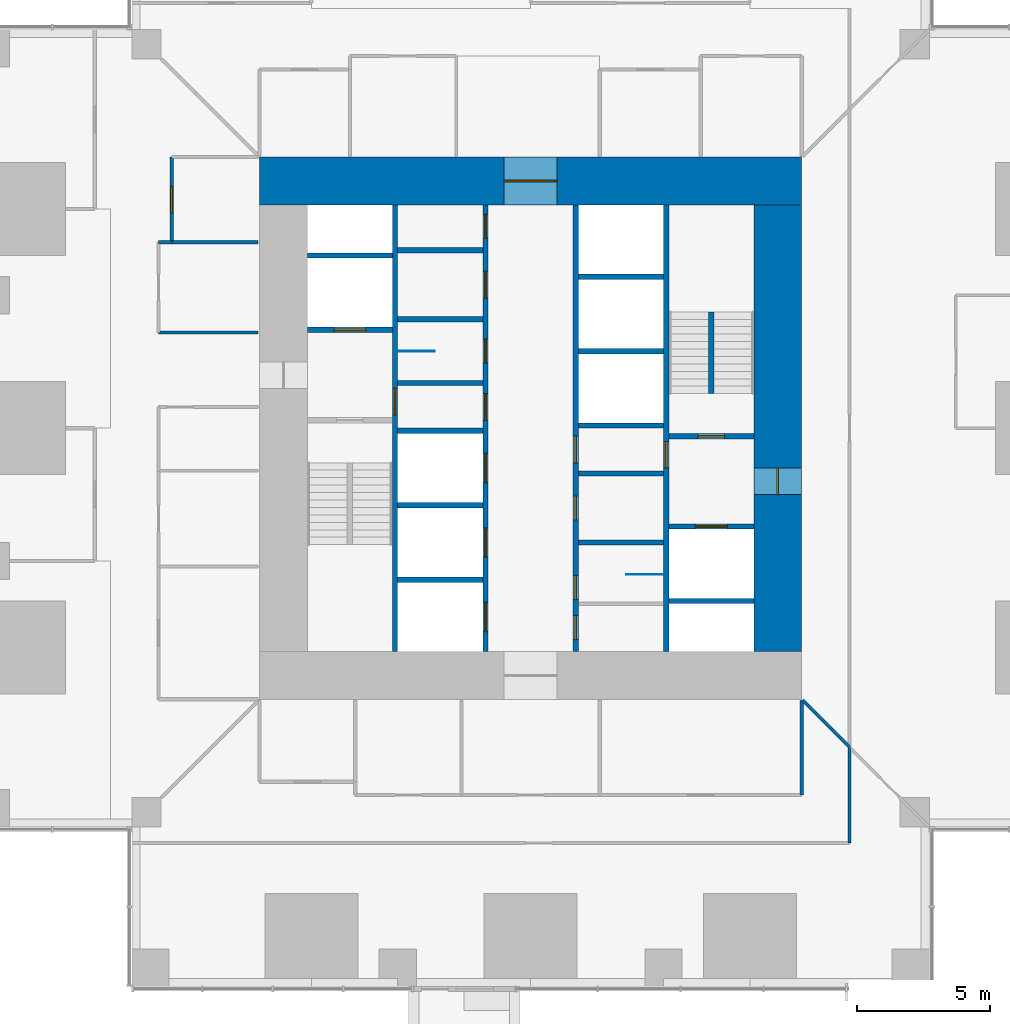
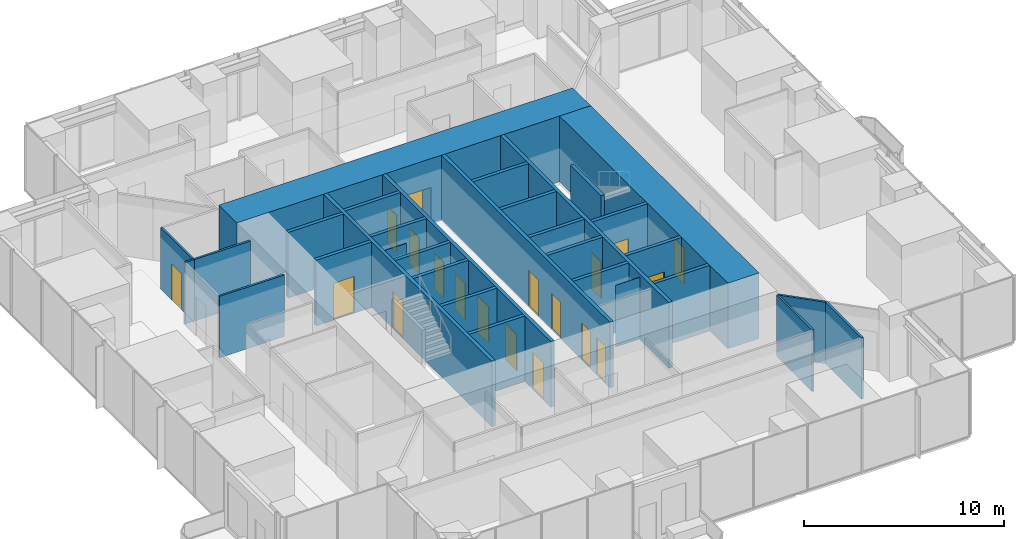
# One storey, part 12 of 17: 32 walls, 19 doors, 19 openings.
"""IFC4 building model written with IfcOpenShell, lengths in metres."""

from ifc_helpers import new_model, si_unit, direction, frame, frame_2d, origin, place, context, subcontext, project, spatial, rectangle, extrude, material, layer, layer_set, type_object, element, fill, save


model = new_model("IFC4")

# Units and contexts
model_context = context("Model", 3, precision=1e-05, world=origin(), true_north=direction((0.0, 1.0)))
body_context = subcontext(model_context, "Body", "Model", "MODEL_VIEW")
ifc_project = project(units=[si_unit("LENGTHUNIT", "METRE"), si_unit("AREAUNIT", "SQUARE_METRE"), si_unit("VOLUMEUNIT", "CUBIC_METRE"), si_unit("PLANEANGLEUNIT", "RADIAN"), si_unit("MASSUNIT", "GRAM", prefix="KILO")], contexts=[model_context])

# Site, building, storey
site_placement = place(None, origin())
site = spatial("IfcSite", under=ifc_project, at=site_placement, CompositionType="ELEMENT")
building_placement = place(site_placement, origin())
building = spatial("IfcBuilding", under=site, at=building_placement, Name="Svetlomir Tower", CompositionType="ELEMENT")
storey_placement = place(building_placement, frame((0.0, 0.0, 38.5)))
storey = spatial("IfcBuildingStorey", under=building, at=storey_placement, Name="L08", CompositionType="ELEMENT", Elevation=38.5)

# Wall, opening, door
ifc_material_1 = material(Name="Concrete C60/75", Category="concrete")
ifc_layer_1 = layer(ifc_material_1, 0.199951171875)
ifc_layer_set_1 = layer_set([ifc_layer_1], Name="Concrete C60/75")
wall_type_1 = type_object("IfcWallType", Name="CORE INNER WALL 200", PredefinedType="SHEAR", material=ifc_layer_set_1)
wall_1_placement = place(storey_placement, frame((15.89990234375, 12.60009765625, -0.050048828125), z_axis=(0.0, 0.0, 1.0), x_axis=(0.0, 1.0, 0.0)))
wall_1 = element("IfcWall", 1, at=wall_1_placement, inside=storey, type_object=wall_type_1, Name="Core inner wall 15.9 L08", PredefinedType="SHEAR", context=body_context, shape_type="SweptSolid", body=[
    extrude(rectangle(XDim=16.7998046875, YDim=0.199951171875, at=frame_2d((8.39990234375, 0.0))), origin(), (0.0, 0.0, 1.0), 4.0),
])
opening_1_placement = place(wall_1_placement, frame((8.89990234375, 0.0, 0.050048828125)))
opening_1 = element("IfcOpeningElement", 2, at=opening_1_placement, cuts=wall_1, Name="Opening DF", PredefinedType="OPENING", context=body_context, shape_type="SweptSolid", body=[
    extrude(rectangle(XDim=1.0, YDim=2.199951171875, at=frame_2d((0.5, 1.10009765625))), frame((0.0, 0.10986328125, 0.0), z_axis=(0.0, -1.0, 0.0), x_axis=(1.0, 0.0, 0.0)), (0.0, 0.0, 1.0), 0.219970703125),
])
ifc_material_2 = material(Name="Steel fire door", Category="steel")
door_type_1 = type_object("IfcDoorType", Name="DOOR DF 1000x2200", OperationType="SINGLE_SWING_LEFT", PredefinedType="DOOR", material=ifc_material_2)
door_1_placement = place(opening_1_placement, origin())
door_1 = element("IfcDoor", 3, at=door_1_placement, inside=storey, type_object=door_type_1, Name="Core corridor west door L08", OperationType="SINGLE_SWING_LEFT", OverallHeight=2.199951171875, OverallWidth=1.0, PredefinedType="DOOR", context=body_context, shape_type="SweptSolid", body=[
    extrude(rectangle(XDim=1.0, YDim=2.199951171875, at=frame_2d((0.5, 1.10009765625))), frame((0.0, 0.02490234375, 0.0), z_axis=(0.0, -1.0, 0.0), x_axis=(1.0, 0.0, 0.0)), (0.0, 0.0, 1.0), 0.050048828125),
])
fill(opening_1, door_1)

# Wall, openings, doors
wall_2_placement = place(storey_placement, frame((19.300048828125, 12.60009765625, -0.050048828125), z_axis=(0.0, 0.0, 1.0), x_axis=(0.0, 1.0, 0.0)))
wall_2 = element("IfcWall", 4, at=wall_2_placement, inside=storey, type_object=wall_type_1, Name="Core inner wall 19.3 L08", PredefinedType="SHEAR", context=body_context, shape_type="SweptSolid", body=[
    extrude(rectangle(XDim=16.7998046875, YDim=0.199951171875, at=frame_2d((8.39990234375, 0.0))), origin(), (0.0, 0.0, 1.0), 4.0),
])
opening_2_placement = place(wall_2_placement, frame((8.699951171875, 0.0, 0.050048828125)))
opening_2 = element("IfcOpeningElement", 5, at=opening_2_placement, cuts=wall_2, Name="Opening DC", PredefinedType="OPENING", context=body_context, shape_type="SweptSolid", body=[
    extrude(rectangle(XDim=1.0, YDim=2.199951171875, at=frame_2d((0.5, 1.10009765625))), frame((0.0, 0.10986328125, 0.0), z_axis=(0.0, -1.0, 0.0), x_axis=(1.0, 0.0, 0.0)), (0.0, 0.0, 1.0), 0.219970703125),
])
opening_3_placement = place(wall_2_placement, frame((10.85009765625, 0.0, 0.050048828125)))
opening_3 = element("IfcOpeningElement", 6, at=opening_3_placement, cuts=wall_2, Name="Opening DW", PredefinedType="OPENING", context=body_context, shape_type="SweptSolid", body=[
    extrude(rectangle(XDim=0.89990234375, YDim=2.199951171875, at=frame_2d((0.449951171875, 1.10009765625))), frame((0.0, 0.10986328125, 0.0), z_axis=(0.0, -1.0, 0.0), x_axis=(1.0, 0.0, 0.0)), (0.0, 0.0, 1.0), 0.219970703125),
])
opening_4_placement = place(wall_2_placement, frame((13.300048828125, 0.0, 0.050048828125)))
opening_4 = element("IfcOpeningElement", 7, at=opening_4_placement, cuts=wall_2, Name="Opening DC", PredefinedType="OPENING", context=body_context, shape_type="SweptSolid", body=[
    extrude(rectangle(XDim=1.0, YDim=2.199951171875, at=frame_2d((0.5, 1.10009765625))), frame((0.0, 0.10986328125, 0.0), z_axis=(0.0, -1.0, 0.0), x_axis=(1.0, 0.0, 0.0)), (0.0, 0.0, 1.0), 0.219970703125),
])
opening_5_placement = place(wall_2_placement, frame((15.550048828125, 0.0, 0.050048828125)))
opening_5 = element("IfcOpeningElement", 8, at=opening_5_placement, cuts=wall_2, Name="Opening DW", PredefinedType="OPENING", context=body_context, shape_type="SweptSolid", body=[
    extrude(rectangle(XDim=0.89990234375, YDim=2.199951171875, at=frame_2d((0.449951171875, 1.10009765625))), frame((0.0, 0.10986328125, 0.0), z_axis=(0.0, -1.0, 0.0), x_axis=(1.0, 0.0, 0.0)), (0.0, 0.0, 1.0), 0.219970703125),
])
opening_6_placement = place(wall_2_placement, frame((0.75, 0.0, 0.050048828125)))
opening_6 = element("IfcOpeningElement", 9, at=opening_6_placement, cuts=wall_2, Name="Opening LD", PredefinedType="OPENING", context=body_context, shape_type="SweptSolid", body=[
    extrude(rectangle(XDim=1.10009765625, YDim=2.199951171875, at=frame_2d((0.550048828125, 1.10009765625))), frame((0.0, 0.10986328125, 0.0), z_axis=(0.0, -1.0, 0.0), x_axis=(1.0, 0.0, 0.0)), (0.0, 0.0, 1.0), 0.219970703125),
])
opening_7_placement = place(wall_2_placement, frame((3.550048828125, 0.0, 0.050048828125)))
opening_7 = element("IfcOpeningElement", 10, at=opening_7_placement, cuts=wall_2, Name="Opening LD", PredefinedType="OPENING", context=body_context, shape_type="SweptSolid", body=[
    extrude(rectangle(XDim=1.10009765625, YDim=2.199951171875, at=frame_2d((0.550048828125, 1.10009765625))), frame((0.0, 0.10986328125, 0.0), z_axis=(0.0, -1.0, 0.0), x_axis=(1.0, 0.0, 0.0)), (0.0, 0.0, 1.0), 0.219970703125),
])
opening_8_placement = place(wall_2_placement, frame((6.35009765625, 0.0, 0.050048828125)))
opening_8 = element("IfcOpeningElement", 11, at=opening_8_placement, cuts=wall_2, Name="Opening LD", PredefinedType="OPENING", context=body_context, shape_type="SweptSolid", body=[
    extrude(rectangle(XDim=1.10009765625, YDim=2.199951171875, at=frame_2d((0.550048828125, 1.10009765625))), frame((0.0, 0.10986328125, 0.0), z_axis=(0.0, -1.0, 0.0), x_axis=(1.0, 0.0, 0.0)), (0.0, 0.0, 1.0), 0.219970703125),
])
ifc_material_3 = material(Name="Timber fire door", Category="wood")
door_type_2 = type_object("IfcDoorType", Name="DOOR DC 1000x2200", OperationType="SINGLE_SWING_LEFT", PredefinedType="DOOR", material=ifc_material_3)
door_2_placement = place(opening_2_placement, origin())
door_2 = element("IfcDoor", 12, at=door_2_placement, inside=storey, type_object=door_type_2, Name="Core corridor west lobby door L08", OperationType="SINGLE_SWING_RIGHT", OverallHeight=2.199951171875, OverallWidth=1.0, PredefinedType="DOOR", context=body_context, shape_type="SweptSolid", body=[
    extrude(rectangle(XDim=1.0, YDim=2.199951171875, at=frame_2d((0.5, 1.10009765625))), frame((0.0, 0.02490234375, 0.0), z_axis=(0.0, -1.0, 0.0), x_axis=(1.0, 0.0, 0.0)), (0.0, 0.0, 1.0), 0.050048828125),
])
fill(opening_2, door_2)
door_3_placement = place(opening_4_placement, origin())
door_3 = element("IfcDoor", 13, at=door_3_placement, inside=storey, type_object=door_type_2, Name="Accessible WC door L08", OperationType="SINGLE_SWING_LEFT", OverallHeight=2.199951171875, OverallWidth=1.0, PredefinedType="DOOR", context=body_context, shape_type="SweptSolid", body=[
    extrude(rectangle(XDim=1.0, YDim=2.199951171875, at=frame_2d((0.5, 1.10009765625))), frame((0.0, 0.02490234375, 0.0), z_axis=(0.0, -1.0, 0.0), x_axis=(1.0, 0.0, 0.0)), (0.0, 0.0, 1.0), 0.050048828125),
])
fill(opening_4, door_3)
ifc_material_4 = material(Name="Timber fire door", Category="wood")
door_type_3 = type_object("IfcDoorType", Name="DOOR DW 900x2200", OperationType="SINGLE_SWING_LEFT", PredefinedType="DOOR", material=ifc_material_4)
door_4_placement = place(opening_3_placement, origin())
door_4 = element("IfcDoor", 14, at=door_4_placement, inside=storey, type_object=door_type_3, Name="Female WC door L08", OperationType="SINGLE_SWING_RIGHT", OverallHeight=2.199951171875, OverallWidth=0.89990234375, PredefinedType="DOOR", context=body_context, shape_type="SweptSolid", body=[
    extrude(rectangle(XDim=0.89990234375, YDim=2.199951171875, at=frame_2d((0.449951171875, 1.10009765625))), frame((0.0, 0.02490234375, 0.0), z_axis=(0.0, -1.0, 0.0), x_axis=(1.0, 0.0, 0.0)), (0.0, 0.0, 1.0), 0.050048828125),
])
fill(opening_3, door_4)
door_5_placement = place(opening_5_placement, origin())
door_5 = element("IfcDoor", 15, at=door_5_placement, inside=storey, type_object=door_type_3, Name="Cleaner's store door L08", OperationType="SINGLE_SWING_RIGHT", OverallHeight=2.199951171875, OverallWidth=0.89990234375, PredefinedType="DOOR", context=body_context, shape_type="SweptSolid", body=[
    extrude(rectangle(XDim=0.89990234375, YDim=2.199951171875, at=frame_2d((0.449951171875, 1.10009765625))), frame((0.0, 0.02490234375, 0.0), z_axis=(0.0, -1.0, 0.0), x_axis=(1.0, 0.0, 0.0)), (0.0, 0.0, 1.0), 0.050048828125),
])
fill(opening_5, door_5)
ifc_material_5 = material(Name="Stainless steel landing door", Category="steel")
door_type_4 = type_object("IfcDoorType", Name="LIFT LANDING DOOR LD 1100x2200", OperationType="DOUBLE_DOOR_SLIDING", PredefinedType="DOOR", material=ifc_material_5)
door_6_placement = place(opening_6_placement, origin())
door_6 = element("IfcDoor", 16, at=door_6_placement, inside=storey, type_object=door_type_4, Name="Landing door lift LA1 L08", OperationType="DOUBLE_DOOR_SLIDING", OverallHeight=2.199951171875, OverallWidth=1.10009765625, PredefinedType="DOOR", context=body_context, shape_type="SweptSolid", body=[
    extrude(rectangle(XDim=1.10009765625, YDim=2.199951171875, at=frame_2d((0.550048828125, 1.10009765625))), frame((0.0, 0.02490234375, 0.0), z_axis=(0.0, -1.0, 0.0), x_axis=(1.0, 0.0, 0.0)), (0.0, 0.0, 1.0), 0.050048828125),
])
fill(opening_6, door_6)
door_7_placement = place(opening_7_placement, origin())
door_7 = element("IfcDoor", 17, at=door_7_placement, inside=storey, type_object=door_type_4, Name="Landing door lift LA2 L08", OperationType="DOUBLE_DOOR_SLIDING", OverallHeight=2.199951171875, OverallWidth=1.10009765625, PredefinedType="DOOR", context=body_context, shape_type="SweptSolid", body=[
    extrude(rectangle(XDim=1.10009765625, YDim=2.199951171875, at=frame_2d((0.550048828125, 1.10009765625))), frame((0.0, 0.02490234375, 0.0), z_axis=(0.0, -1.0, 0.0), x_axis=(1.0, 0.0, 0.0)), (0.0, 0.0, 1.0), 0.050048828125),
])
fill(opening_7, door_7)
door_8_placement = place(opening_8_placement, origin())
door_8 = element("IfcDoor", 18, at=door_8_placement, inside=storey, type_object=door_type_4, Name="Landing door lift LA3 L08", OperationType="DOUBLE_DOOR_SLIDING", OverallHeight=2.199951171875, OverallWidth=1.10009765625, PredefinedType="DOOR", context=body_context, shape_type="SweptSolid", body=[
    extrude(rectangle(XDim=1.10009765625, YDim=2.199951171875, at=frame_2d((0.550048828125, 1.10009765625))), frame((0.0, 0.02490234375, 0.0), z_axis=(0.0, -1.0, 0.0), x_axis=(1.0, 0.0, 0.0)), (0.0, 0.0, 1.0), 0.050048828125),
])
fill(opening_8, door_8)

wall_3_placement = place(storey_placement, frame((22.699951171875, 12.60009765625, -0.050048828125), z_axis=(0.0, 0.0, 1.0), x_axis=(0.0, 1.0, 0.0)))
wall_3 = element("IfcWall", 19, at=wall_3_placement, inside=storey, type_object=wall_type_1, Name="Core inner wall 22.7 L08", PredefinedType="SHEAR", context=body_context, shape_type="SweptSolid", body=[
    extrude(rectangle(XDim=16.7998046875, YDim=0.199951171875, at=frame_2d((8.39990234375, 0.0))), origin(), (0.0, 0.0, 1.0), 4.0),
])
opening_9_placement = place(wall_3_placement, frame((0.449951171875, 0.0, 0.050048828125)))
opening_9 = element("IfcOpeningElement", 20, at=opening_9_placement, cuts=wall_3, Name="Opening DW", PredefinedType="OPENING", context=body_context, shape_type="SweptSolid", body=[
    extrude(rectangle(XDim=0.89990234375, YDim=2.199951171875, at=frame_2d((0.449951171875, 1.10009765625))), frame((0.0, 0.10986328125, 0.0), z_axis=(0.0, -1.0, 0.0), x_axis=(1.0, 0.0, 0.0)), (0.0, 0.0, 1.0), 0.219970703125),
])
opening_10_placement = place(wall_3_placement, frame((7.10009765625, 0.0, 0.050048828125)))
opening_10 = element("IfcOpeningElement", 21, at=opening_10_placement, cuts=wall_3, Name="Opening DC", PredefinedType="OPENING", context=body_context, shape_type="SweptSolid", body=[
    extrude(rectangle(XDim=1.0, YDim=2.199951171875, at=frame_2d((0.5, 1.10009765625))), frame((0.0, 0.10986328125, 0.0), z_axis=(0.0, -1.0, 0.0), x_axis=(1.0, 0.0, 0.0)), (0.0, 0.0, 1.0), 0.219970703125),
])
opening_11_placement = place(wall_3_placement, frame((1.949951171875, 0.0, 0.050048828125)))
opening_11 = element("IfcOpeningElement", 22, at=opening_11_placement, cuts=wall_3, Name="Opening DW", PredefinedType="OPENING", context=body_context, shape_type="SweptSolid", body=[
    extrude(rectangle(XDim=0.89990234375, YDim=2.199951171875, at=frame_2d((0.449951171875, 1.10009765625))), frame((0.0, 0.10986328125, 0.0), z_axis=(0.0, -1.0, 0.0), x_axis=(1.0, 0.0, 0.0)), (0.0, 0.0, 1.0), 0.219970703125),
])
opening_12_placement = place(wall_3_placement, frame((4.949951171875, 0.0, 0.050048828125)))
opening_12 = element("IfcOpeningElement", 23, at=opening_12_placement, cuts=wall_3, Name="Opening DW", PredefinedType="OPENING", context=body_context, shape_type="SweptSolid", body=[
    extrude(rectangle(XDim=0.89990234375, YDim=2.199951171875, at=frame_2d((0.449951171875, 1.10009765625))), frame((0.0, 0.10986328125, 0.0), z_axis=(0.0, -1.0, 0.0), x_axis=(1.0, 0.0, 0.0)), (0.0, 0.0, 1.0), 0.219970703125),
])
door_9_placement = place(opening_10_placement, origin())
door_9 = element("IfcDoor", 24, at=door_9_placement, inside=storey, type_object=door_type_2, Name="Core corridor east lobby door L08", OperationType="SINGLE_SWING_LEFT", OverallHeight=2.199951171875, OverallWidth=1.0, PredefinedType="DOOR", context=body_context, shape_type="SweptSolid", body=[
    extrude(rectangle(XDim=1.0, YDim=2.199951171875, at=frame_2d((0.5, 1.10009765625))), frame((0.0, 0.02490234375, 0.0), z_axis=(0.0, -1.0, 0.0), x_axis=(1.0, 0.0, 0.0)), (0.0, 0.0, 1.0), 0.050048828125),
])
fill(opening_10, door_9)
door_10_placement = place(opening_9_placement, origin())
door_10 = element("IfcDoor", 25, at=door_10_placement, inside=storey, type_object=door_type_3, Name="Floor store door L08", OperationType="SINGLE_SWING_LEFT", OverallHeight=2.199951171875, OverallWidth=0.89990234375, PredefinedType="DOOR", context=body_context, shape_type="SweptSolid", body=[
    extrude(rectangle(XDim=0.89990234375, YDim=2.199951171875, at=frame_2d((0.449951171875, 1.10009765625))), frame((0.0, 0.02490234375, 0.0), z_axis=(0.0, -1.0, 0.0), x_axis=(1.0, 0.0, 0.0)), (0.0, 0.0, 1.0), 0.050048828125),
])
fill(opening_9, door_10)
door_11_placement = place(opening_11_placement, origin())
door_11 = element("IfcDoor", 26, at=door_11_placement, inside=storey, type_object=door_type_3, Name="Male WC door L08", OperationType="SINGLE_SWING_LEFT", OverallHeight=2.199951171875, OverallWidth=0.89990234375, PredefinedType="DOOR", context=body_context, shape_type="SweptSolid", body=[
    extrude(rectangle(XDim=0.89990234375, YDim=2.199951171875, at=frame_2d((0.449951171875, 1.10009765625))), frame((0.0, 0.02490234375, 0.0), z_axis=(0.0, -1.0, 0.0), x_axis=(1.0, 0.0, 0.0)), (0.0, 0.0, 1.0), 0.050048828125),
])
fill(opening_11, door_11)
door_12_placement = place(opening_12_placement, origin())
door_12 = element("IfcDoor", 27, at=door_12_placement, inside=storey, type_object=door_type_3, Name="Comms room door L08", OperationType="SINGLE_SWING_RIGHT", OverallHeight=2.199951171875, OverallWidth=0.89990234375, PredefinedType="DOOR", context=body_context, shape_type="SweptSolid", body=[
    extrude(rectangle(XDim=0.89990234375, YDim=2.199951171875, at=frame_2d((0.449951171875, 1.10009765625))), frame((0.0, 0.02490234375, 0.0), z_axis=(0.0, -1.0, 0.0), x_axis=(1.0, 0.0, 0.0)), (0.0, 0.0, 1.0), 0.050048828125),
])
fill(opening_12, door_12)

# Wall, opening, door
wall_4_placement = place(storey_placement, frame((26.10009765625, 12.60009765625, -0.050048828125), z_axis=(0.0, 0.0, 1.0), x_axis=(0.0, 1.0, 0.0)))
wall_4 = element("IfcWall", 28, at=wall_4_placement, inside=storey, type_object=wall_type_1, Name="Core inner wall 26.1 L08", PredefinedType="SHEAR", context=body_context, shape_type="SweptSolid", body=[
    extrude(rectangle(XDim=16.7998046875, YDim=0.199951171875, at=frame_2d((8.39990234375, 0.0))), origin(), (0.0, 0.0, 1.0), 4.0),
])
opening_13_placement = place(wall_4_placement, frame((6.89990234375, 0.0, 0.050048828125)))
opening_13 = element("IfcOpeningElement", 29, at=opening_13_placement, cuts=wall_4, Name="Opening DF", PredefinedType="OPENING", context=body_context, shape_type="SweptSolid", body=[
    extrude(rectangle(XDim=1.0, YDim=2.199951171875, at=frame_2d((0.5, 1.10009765625))), frame((0.0, 0.10986328125, 0.0), z_axis=(0.0, -1.0, 0.0), x_axis=(1.0, 0.0, 0.0)), (0.0, 0.0, 1.0), 0.219970703125),
])
door_13_placement = place(opening_13_placement, origin())
door_13 = element("IfcDoor", 30, at=door_13_placement, inside=storey, type_object=door_type_1, Name="Core corridor east door L08", OperationType="SINGLE_SWING_LEFT", OverallHeight=2.199951171875, OverallWidth=1.0, PredefinedType="DOOR", context=body_context, shape_type="SweptSolid", body=[
    extrude(rectangle(XDim=1.0, YDim=2.199951171875, at=frame_2d((0.5, 1.10009765625))), frame((0.0, 0.02490234375, 0.0), z_axis=(0.0, -1.0, 0.0), x_axis=(1.0, 0.0, 0.0)), (0.0, 0.0, 1.0), 0.050048828125),
])
fill(opening_13, door_13)

wall_5_placement = place(storey_placement, frame((12.60009765625, 24.699951171875, -0.050048828125), z_axis=(0.0, 0.0, 1.0), x_axis=(1.0, 0.0, 0.0)))
wall_5 = element("IfcWall", 31, at=wall_5_placement, inside=storey, type_object=wall_type_1, Name="Core inner wall 12.6-15.8/24.7 L08", PredefinedType="SHEAR", context=body_context, shape_type="SweptSolid", body=[
    extrude(rectangle(XDim=3.199951171875, YDim=0.199951171875, at=frame_2d((1.60009765625, 0.0))), origin(), (0.0, 0.0, 1.0), 4.0),
])
opening_14_placement = place(wall_5_placement, frame((1.0, 0.0, 0.050048828125)))
opening_14 = element("IfcOpeningElement", 32, at=opening_14_placement, cuts=wall_5, Name="Opening LD3", PredefinedType="OPENING", context=body_context, shape_type="SweptSolid", body=[
    extrude(rectangle(XDim=1.199951171875, YDim=2.199951171875, at=frame_2d((0.60009765625, 1.10009765625))), frame((0.0, 0.10986328125, 0.0), z_axis=(0.0, -1.0, 0.0), x_axis=(1.0, 0.0, 0.0)), (0.0, 0.0, 1.0), 0.219970703125),
])
ifc_material_6 = material(Name="Stainless steel fire-rated landing door", Category="steel")
door_type_5 = type_object("IfcDoorType", Name="FIREFIGHTING LIFT LANDING DOOR LD3 1200x2200", OperationType="DOUBLE_DOOR_SLIDING", PredefinedType="DOOR", material=ifc_material_6)
door_14_placement = place(opening_14_placement, origin())
door_14 = element("IfcDoor", 33, at=door_14_placement, inside=storey, type_object=door_type_5, Name="Landing door lift FL1 L08", OperationType="DOUBLE_DOOR_SLIDING", OverallHeight=2.199951171875, OverallWidth=1.199951171875, PredefinedType="DOOR", context=body_context, shape_type="SweptSolid", body=[
    extrude(rectangle(XDim=1.199951171875, YDim=2.199951171875, at=frame_2d((0.60009765625, 1.10009765625))), frame((0.0, 0.02490234375, 0.0), z_axis=(0.0, -1.0, 0.0), x_axis=(1.0, 0.0, 0.0)), (0.0, 0.0, 1.0), 0.050048828125),
])
fill(opening_14, door_14)

# Walls
for number, where, z_axis, x_axis, name in (
    (34, (12.60009765625, 27.5, -0.050048828125), (0.0, 0.0, 1.0), (1.0, 0.0, 0.0), "Core inner wall 12.6-15.8/27.5 L08"),
    (35, (16.0, 15.300048828125, -0.050048828125), (0.0, 0.0, 1.0), (1.0, 0.0, 0.0), "Core inner wall 16-19.2/15.3 L08"),
    (36, (16.0, 18.10009765625, -0.050048828125), (0.0, 0.0, 1.0), (1.0, 0.0, 0.0), "Core inner wall 16-19.2/18.1 L08"),
    (37, (16.0, 20.89990234375, -0.050048828125), (0.0, 0.0, 1.0), (1.0, 0.0, 0.0), "Core inner wall 16-19.2/20.9 L08"),
    (38, (16.0, 22.699951171875, -0.050048828125), (0.0, 0.0, 1.0), (1.0, 0.0, 0.0), "Core inner wall 16-19.2/22.7 L08"),
    (39, (16.0, 25.10009765625, -0.050048828125), (0.0, 0.0, 1.0), (1.0, 0.0, 0.0), "Core inner wall 16-19.2/25.1 L08"),
    (40, (16.0, 27.699951171875, -0.050048828125), (0.0, 0.0, 1.0), (1.0, 0.0, 0.0), "Core inner wall 16-19.2/27.7 L08"),
    (41, (22.800048828125, 16.699951171875, -0.050048828125), (0.0, 0.0, 1.0), (1.0, 0.0, 0.0), "Core inner wall 22.8-26/16.7 L08"),
    (42, (22.800048828125, 19.300048828125, -0.050048828125), (0.0, 0.0, 1.0), (1.0, 0.0, 0.0), "Core inner wall 22.8-26/19.3 L08"),
    (43, (22.800048828125, 21.10009765625, -0.050048828125), (0.0, 0.0, 1.0), (1.0, 0.0, 0.0), "Core inner wall 22.8-26/21.1 L08"),
    (44, (22.800048828125, 23.89990234375, -0.050048828125), (0.0, 0.0, 1.0), (1.0, 0.0, 0.0), "Core inner wall 22.8-26/23.9 L08"),
    (45, (22.800048828125, 26.699951171875, -0.050048828125), (0.0, 0.0, 1.0), (1.0, 0.0, 0.0), "Core inner wall 22.8-26/26.7 L08"),
    (46, (26.199951171875, 14.5, -0.050048828125), (0.0, 0.0, 1.0), (1.0, 0.0, 0.0), "Core inner wall 26.2-29.4/14.5 L08"),
):
    element("IfcWall", number, at=place(storey_placement, frame(where, z_axis=z_axis, x_axis=x_axis)), inside=storey, type_object=wall_type_1, Name=name, PredefinedType="SHEAR", context=body_context, shape_type="SweptSolid", body=[
        extrude(rectangle(XDim=3.199951171875, YDim=0.199951171875, at=frame_2d((1.60009765625, 0.0))), origin(), (0.0, 0.0, 1.0), 4.0),
    ])

# Wall, opening, door
wall_6_placement = place(storey_placement, frame((26.199951171875, 17.300048828125, -0.050048828125), z_axis=(0.0, 0.0, 1.0), x_axis=(1.0, 0.0, 0.0)))
wall_6 = element("IfcWall", 47, at=wall_6_placement, inside=storey, type_object=wall_type_1, Name="Core inner wall 26.2-29.4/17.3 L08", PredefinedType="SHEAR", context=body_context, shape_type="SweptSolid", body=[
    extrude(rectangle(XDim=3.199951171875, YDim=0.199951171875, at=frame_2d((1.60009765625, 0.0))), origin(), (0.0, 0.0, 1.0), 4.0),
])
opening_15_placement = place(wall_6_placement, frame((1.0, 0.0, 0.050048828125)))
opening_15 = element("IfcOpeningElement", 48, at=opening_15_placement, cuts=wall_6, Name="Opening LD3", PredefinedType="OPENING", context=body_context, shape_type="SweptSolid", body=[
    extrude(rectangle(XDim=1.199951171875, YDim=2.199951171875, at=frame_2d((0.60009765625, 1.10009765625))), frame((0.0, 0.10986328125, 0.0), z_axis=(0.0, -1.0, 0.0), x_axis=(1.0, 0.0, 0.0)), (0.0, 0.0, 1.0), 0.219970703125),
])
door_15_placement = place(opening_15_placement, origin())
door_15 = element("IfcDoor", 49, at=door_15_placement, inside=storey, type_object=door_type_5, Name="Landing door lift FL2 L08", OperationType="DOUBLE_DOOR_SLIDING", OverallHeight=2.199951171875, OverallWidth=1.199951171875, PredefinedType="DOOR", context=body_context, shape_type="SweptSolid", body=[
    extrude(rectangle(XDim=1.199951171875, YDim=2.199951171875, at=frame_2d((0.60009765625, 1.10009765625))), frame((0.0, 0.02490234375, 0.0), z_axis=(0.0, -1.0, 0.0), x_axis=(1.0, 0.0, 0.0)), (0.0, 0.0, 1.0), 0.050048828125),
])
fill(opening_15, door_15)

wall_7_placement = place(storey_placement, frame((26.199951171875, 20.699951171875, -0.050048828125), z_axis=(0.0, 0.0, 1.0), x_axis=(1.0, 0.0, 0.0)))
wall_7 = element("IfcWall", 50, at=wall_7_placement, inside=storey, type_object=wall_type_1, Name="Core inner wall 26.2-29.4/20.7 L08", PredefinedType="SHEAR", context=body_context, shape_type="SweptSolid", body=[
    extrude(rectangle(XDim=3.199951171875, YDim=0.199951171875, at=frame_2d((1.60009765625, 0.0))), origin(), (0.0, 0.0, 1.0), 4.0),
])
opening_16_placement = place(wall_7_placement, frame((1.10009765625, 0.0, 0.050048828125)))
opening_16 = element("IfcOpeningElement", 51, at=opening_16_placement, cuts=wall_7, Name="Opening DF", PredefinedType="OPENING", context=body_context, shape_type="SweptSolid", body=[
    extrude(rectangle(XDim=1.0, YDim=2.199951171875, at=frame_2d((0.5, 1.10009765625))), frame((0.0, 0.10986328125, 0.0), z_axis=(0.0, -1.0, 0.0), x_axis=(1.0, 0.0, 0.0)), (0.0, 0.0, 1.0), 0.219970703125),
])
door_16_placement = place(opening_16_placement, origin())
door_16 = element("IfcDoor", 52, at=door_16_placement, inside=storey, type_object=door_type_1, Name="Stair S2 door L08", OperationType="SINGLE_SWING_LEFT", OverallHeight=2.199951171875, OverallWidth=1.0, PredefinedType="DOOR", context=body_context, shape_type="SweptSolid", body=[
    extrude(rectangle(XDim=1.0, YDim=2.199951171875, at=frame_2d((0.5, 1.10009765625))), frame((0.0, 0.02490234375, 0.0), z_axis=(0.0, -1.0, 0.0), x_axis=(1.0, 0.0, 0.0)), (0.0, 0.0, 1.0), 0.050048828125),
])
fill(opening_16, door_16)

ifc_material_7 = material(Name="Concrete C60/75", Category="concrete")
ifc_layer_2 = layer(ifc_material_7, 1.800048828125)
ifc_layer_set_2 = layer_set([ifc_layer_2], Name="Concrete C60/75")
wall_type_2 = type_object("IfcWallType", Name="CORE WALL 1800", PredefinedType="SHEAR", material=ifc_layer_set_2)
wall_8_placement = place(storey_placement, frame((10.800048828125, 30.300048828125, -0.050048828125), z_axis=(0.0, 0.0, 1.0), x_axis=(1.0, 0.0, 0.0)))
wall_8 = element("IfcWall", 53, at=wall_8_placement, inside=storey, type_object=wall_type_2, Name="Core wall north L08", PredefinedType="SHEAR", context=body_context, shape_type="SweptSolid", body=[
    extrude(rectangle(XDim=20.39990234375, YDim=1.800048828125, at=frame_2d((10.199951171875, 0.0))), origin(), (0.0, 0.0, 1.0), 4.0),
])
opening_17_placement = place(wall_8_placement, frame((9.199951171875, 0.0, 0.050048828125)))
opening_17 = element("IfcOpeningElement", 54, at=opening_17_placement, cuts=wall_8, Name="Opening DL", PredefinedType="OPENING", context=body_context, shape_type="SweptSolid", body=[
    extrude(rectangle(XDim=2.0, YDim=2.199951171875, at=frame_2d((1.0, 1.10009765625))), frame((0.0, 0.91015625, 0.0), z_axis=(0.0, -1.0, 0.0), x_axis=(1.0, 0.0, 0.0)), (0.0, 0.0, 1.0), 1.820068359375),
])
ifc_material_8 = material(Name="Steel fire door", Category="steel")
door_type_6 = type_object("IfcDoorType", Name="DOOR DL 2000x2200", OperationType="DOUBLE_DOOR_SINGLE_SWING", PredefinedType="DOOR", material=ifc_material_8)
door_17_placement = place(opening_17_placement, origin())
door_17 = element("IfcDoor", 55, at=door_17_placement, inside=storey, type_object=door_type_6, Name="Lift lobby north door L08", OperationType="DOUBLE_DOOR_SINGLE_SWING", OverallHeight=2.199951171875, OverallWidth=2.0, PredefinedType="DOOR", context=body_context, shape_type="SweptSolid", body=[
    extrude(rectangle(XDim=2.0, YDim=2.199951171875, at=frame_2d((1.0, 1.10009765625))), frame((0.0, 0.02490234375, 0.0), z_axis=(0.0, -1.0, 0.0), x_axis=(1.0, 0.0, 0.0)), (0.0, 0.0, 1.0), 0.050048828125),
])
fill(opening_17, door_17)

wall_9_placement = place(storey_placement, frame((30.300048828125, 12.60009765625, -0.050048828125), z_axis=(0.0, 0.0, 1.0), x_axis=(0.0, 1.0, 0.0)))
wall_9 = element("IfcWall", 56, at=wall_9_placement, inside=storey, type_object=wall_type_2, Name="Core wall east L08", PredefinedType="SHEAR", context=body_context, shape_type="SweptSolid", body=[
    extrude(rectangle(XDim=16.7998046875, YDim=1.800048828125, at=frame_2d((8.39990234375, 0.0))), origin(), (0.0, 0.0, 1.0), 4.0),
])
opening_18_placement = place(wall_9_placement, frame((5.89990234375, 0.0, 0.050048828125)))
opening_18 = element("IfcOpeningElement", 57, at=opening_18_placement, cuts=wall_9, Name="Opening DF", PredefinedType="OPENING", context=body_context, shape_type="SweptSolid", body=[
    extrude(rectangle(XDim=1.0, YDim=2.199951171875, at=frame_2d((0.5, 1.10009765625))), frame((0.0, 0.91015625, 0.0), z_axis=(0.0, -1.0, 0.0), x_axis=(1.0, 0.0, 0.0)), (0.0, 0.0, 1.0), 1.820068359375),
])
door_18_placement = place(opening_18_placement, origin())
door_18 = element("IfcDoor", 58, at=door_18_placement, inside=storey, type_object=door_type_1, Name="Firefighting lobby east door L08", OperationType="SINGLE_SWING_LEFT", OverallHeight=2.199951171875, OverallWidth=1.0, PredefinedType="DOOR", context=body_context, shape_type="SweptSolid", body=[
    extrude(rectangle(XDim=1.0, YDim=2.199951171875, at=frame_2d((0.5, 1.10009765625))), frame((0.0, 0.02490234375, 0.0), z_axis=(0.0, -1.0, 0.0), x_axis=(1.0, 0.0, 0.0)), (0.0, 0.0, 1.0), 0.050048828125),
])
fill(opening_18, door_18)

# Walls
ifc_material_9 = material(Name="Gypsum board on steel studs", Category="steel")
ifc_layer_3 = layer(ifc_material_9, 0.1201171875)
ifc_layer_set_3 = layer_set([ifc_layer_3], Name="Gypsum board on steel studs")
wall_type_3 = type_object("IfcWallType", Name="PARTITION 120", PredefinedType="PARTITIONING", material=ifc_layer_set_3)
wall_10_placement = place(storey_placement, frame((7.0, 24.60009765625, 0.0), z_axis=(0.0, 0.0, 1.0), x_axis=(1.0, 0.0, 0.0)))
element("IfcWall", 59, at=wall_10_placement, inside=storey, type_object=wall_type_3, Name="Partition L08", PredefinedType="PARTITIONING", context=body_context, shape_type="SweptSolid", body=[
    extrude(rectangle(XDim=3.75, YDim=0.1201171875, at=frame_2d((1.875, 0.0))), origin(), (0.0, 0.0, 1.0), 3.75),
])
wall_11_placement = place(storey_placement, frame((7.0, 28.0, 0.0), z_axis=(0.0, 0.0, 1.0), x_axis=(1.0, 0.0, 0.0)))
element("IfcWall", 60, at=wall_11_placement, inside=storey, type_object=wall_type_3, Name="Partition L08", PredefinedType="PARTITIONING", context=body_context, shape_type="SweptSolid", body=[
    extrude(rectangle(XDim=0.5, YDim=0.1201171875, at=frame_2d((0.25, 0.0))), origin(), (0.0, 0.0, 1.0), 3.75),
])

# Wall, opening, door
wall_12_placement = place(storey_placement, frame((7.5, 28.0, 0.0), z_axis=(0.0, 0.0, 1.0), x_axis=(0.0, 1.0, 0.0)))
wall_12 = element("IfcWall", 61, at=wall_12_placement, inside=storey, type_object=wall_type_3, Name="Partition L08", PredefinedType="PARTITIONING", context=body_context, shape_type="SweptSolid", body=[
    extrude(rectangle(XDim=3.199951171875, YDim=0.1201171875, at=frame_2d((1.60009765625, 0.0))), origin(), (0.0, 0.0, 1.0), 3.75),
])
opening_19_placement = place(wall_12_placement, frame((1.10009765625, 0.0, 0.0)))
opening_19 = element("IfcOpeningElement", 62, at=opening_19_placement, cuts=wall_12, Name="Opening DR", PredefinedType="OPENING", context=body_context, shape_type="SweptSolid", body=[
    extrude(rectangle(XDim=1.0, YDim=2.199951171875, at=frame_2d((0.5, 1.10009765625))), frame((0.0, 0.070068359375, 0.0), z_axis=(0.0, -1.0, 0.0), x_axis=(1.0, 0.0, 0.0)), (0.0, 0.0, 1.0), 0.14013671875),
])
ifc_material_10 = material(Name="Timber door, glazed side light", Category="wood")
door_type_7 = type_object("IfcDoorType", Name="DOOR DR 1000x2200", OperationType="SINGLE_SWING_LEFT", PredefinedType="DOOR", material=ifc_material_10)
door_19_placement = place(opening_19_placement, origin())
door_19 = element("IfcDoor", 63, at=door_19_placement, inside=storey, type_object=door_type_7, Name="Store door L08", OperationType="SINGLE_SWING_RIGHT", OverallHeight=2.199951171875, OverallWidth=1.0, PredefinedType="DOOR", context=body_context, shape_type="SweptSolid", body=[
    extrude(rectangle(XDim=1.0, YDim=2.199951171875, at=frame_2d((0.5, 1.10009765625))), frame((0.0, 0.02490234375, 0.0), z_axis=(0.0, -1.0, 0.0), x_axis=(1.0, 0.0, 0.0)), (0.0, 0.0, 1.0), 0.050048828125),
])
fill(opening_19, door_19)

# Walls
wall_13_placement = place(storey_placement, frame((7.5, 28.0, 0.0), z_axis=(0.0, 0.0, 1.0), x_axis=(1.0, 0.0, 0.0)))
element("IfcWall", 64, at=wall_13_placement, inside=storey, type_object=wall_type_3, Name="Partition L08", PredefinedType="PARTITIONING", context=body_context, shape_type="SweptSolid", body=[
    extrude(rectangle(XDim=3.25, YDim=0.1201171875, at=frame_2d((1.625, 0.0))), origin(), (0.0, 0.0, 1.0), 3.75),
])
wall_14_placement = place(storey_placement, frame((31.199951171875, 7.199951171875, 0.0), z_axis=(0.0, 0.0, 1.0), x_axis=(0.0, 1.0, 0.0)))
element("IfcWall", 65, at=wall_14_placement, inside=storey, type_object=wall_type_3, Name="Partition L08", PredefinedType="PARTITIONING", context=body_context, shape_type="SweptSolid", body=[
    extrude(rectangle(XDim=3.550048828125, YDim=0.1201171875, at=frame_2d((1.77490234375, 0.0))), origin(), (0.0, 0.0, 1.0), 3.75),
])
wall_15_placement = place(storey_placement, frame((31.2353515625, 10.7646484375, 0.0), z_axis=(0.0, 0.0, 1.0), x_axis=(0.707106781187, -0.707106781187, 0.0)))
element("IfcWall", 66, at=wall_15_placement, inside=storey, type_object=wall_type_3, Name="Partition L08", PredefinedType="PARTITIONING", context=body_context, shape_type="SweptSolid", body=[
    extrude(rectangle(XDim=2.4814453125, YDim=0.1201171875, at=frame_2d((1.24072265625, 0.0))), origin(), (0.0, 0.0, 1.0), 3.75),
])
wall_16_placement = place(storey_placement, frame((33.0, 5.39990234375, 0.0), z_axis=(0.0, 0.0, 1.0), x_axis=(0.0, 1.0, 0.0)))
element("IfcWall", 67, at=wall_16_placement, inside=storey, type_object=wall_type_3, Name="Partition L08", PredefinedType="PARTITIONING", context=body_context, shape_type="SweptSolid", body=[
    extrude(rectangle(XDim=3.590087890625, YDim=0.1201171875, at=frame_2d((1.794921875, 0.0))), origin(), (0.0, 0.0, 1.0), 3.75),
])
ifc_material_11 = material(Name="Concrete C60/75", Category="concrete")
ifc_layer_4 = layer(ifc_material_11, 0.199951171875)
ifc_layer_set_4 = layer_set([ifc_layer_4], Name="Concrete C60/75")
wall_type_4 = type_object("IfcWallType", Name="STAIR SPINE WALL 200", PredefinedType="PARTITIONING", material=ifc_layer_set_4)
wall_17_placement = place(storey_placement, frame((27.800048828125, 22.300048828125, 0.0), z_axis=(0.0, 0.0, 1.0), x_axis=(0.0, 1.0, 0.0)))
element("IfcWall", 68, at=wall_17_placement, inside=storey, type_object=wall_type_4, Name="Stair S2 spine wall L08", PredefinedType="PARTITIONING", context=body_context, shape_type="SweptSolid", body=[
    extrude(rectangle(XDim=3.079833984375, YDim=0.199951171875, at=frame_2d((1.5400390625, 0.0))), origin(), (0.0, 0.0, 1.0), 4.0),
])
ifc_material_12 = material(Name="Compact laminate panel", Category="plastic")
ifc_layer_5 = layer(ifc_material_12, 0.030029296875)
ifc_layer_set_5 = layer_set([ifc_layer_5], Name="Compact laminate panel")
wall_type_5 = type_object("IfcWallType", Name="WC CUBICLE PARTITION 30", PredefinedType="PARTITIONING", material=ifc_layer_set_5)
for number, where, z_axis, x_axis, name in (
    (69, (24.60009765625, 15.5, 0.0), (0.0, 0.0, 1.0), (1.0, 0.0, 0.0), "WC cubicle partition L08"),
    (70, (16.0, 23.89990234375, 0.0), (0.0, 0.0, 1.0), (1.0, 0.0, 0.0), "WC cubicle partition L08"),
):
    element("IfcWall", number, at=place(storey_placement, frame(where, z_axis=z_axis, x_axis=x_axis)), inside=storey, type_object=wall_type_5, Name=name, PredefinedType="PARTITIONING", context=body_context, shape_type="SweptSolid", body=[
        extrude(rectangle(XDim=1.39990234375, YDim=0.030029296875, at=frame_2d((0.699951171875, 0.0))), origin(), (0.0, 0.0, 1.0), 3.75),
    ])

save(model, "model.ifc")
